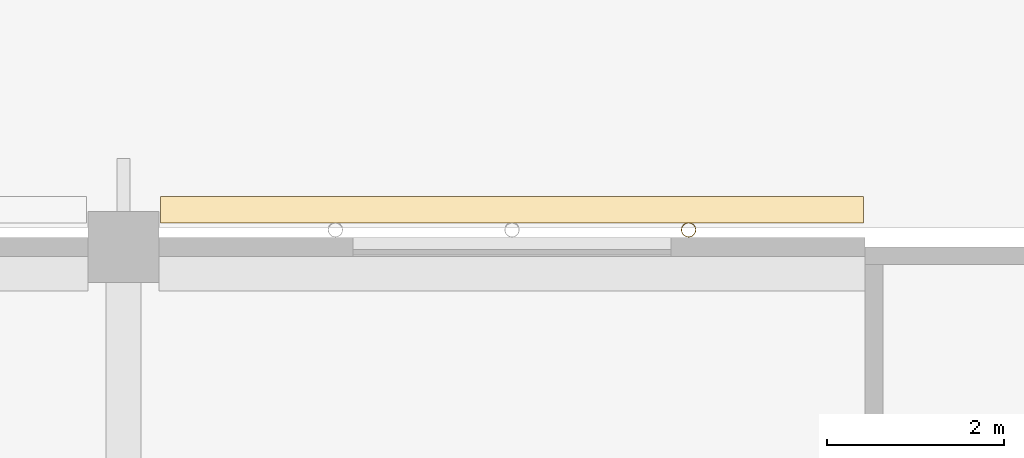
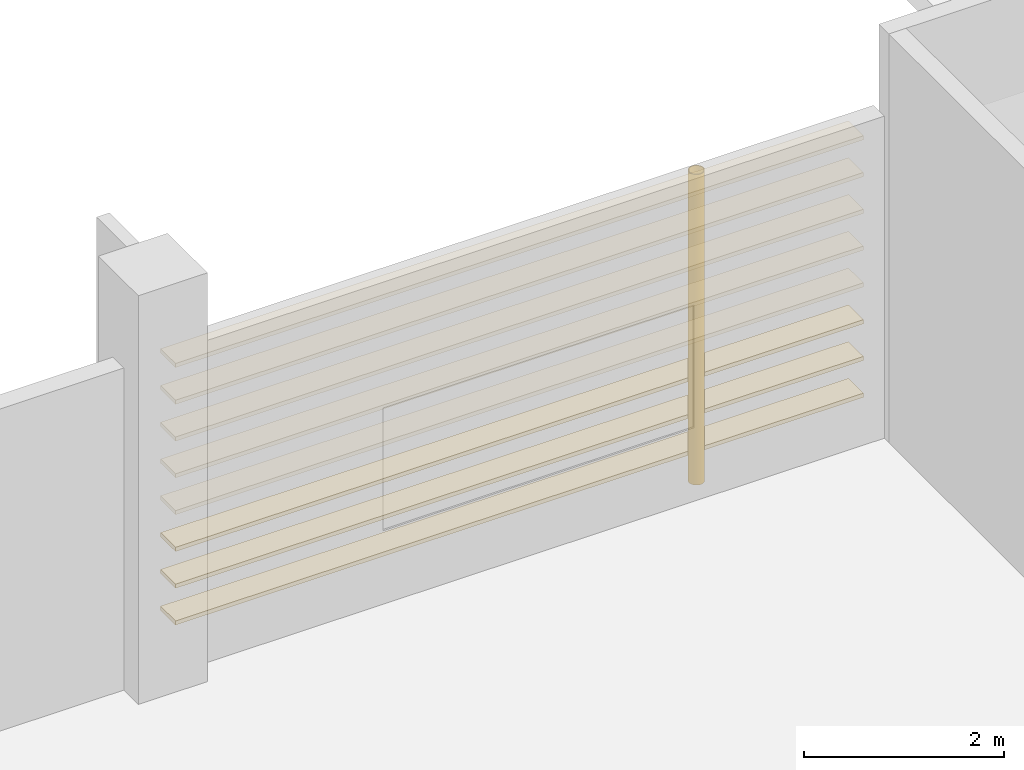
# One storey, part 75 of 101: 8 coverings, 1 shading device.
"""IFC4 building model written with IfcOpenShell, lengths in metres."""

from ifc_helpers import new_model, si_unit, direction, frame, origin, origin_2d, place, context, subcontext, project, spatial, rectangle, hollow_circle, extrude, material, material_profile, profile_set, type_object, element, save


model = new_model("IFC4")

# Units and contexts
model_context = context("Model", 3, precision=1e-05, world=origin(), true_north=direction((0.0, 1.0)))
body_context = subcontext(model_context, "Body", "Model", "MODEL_VIEW")
ifc_project = project(units=[si_unit("LENGTHUNIT", "METRE"), si_unit("AREAUNIT", "SQUARE_METRE"), si_unit("VOLUMEUNIT", "CUBIC_METRE"), si_unit("PLANEANGLEUNIT", "RADIAN"), si_unit("MASSUNIT", "GRAM", prefix="KILO")], contexts=[model_context])

# Site, building, storey
site_placement = place(None, origin())
site = spatial("IfcSite", under=ifc_project, at=site_placement, CompositionType="ELEMENT")
building_placement = place(site_placement, origin())
building = spatial("IfcBuilding", under=site, at=building_placement, Name="Almond Square Museum", CompositionType="ELEMENT")
storey_placement = place(building_placement, frame((0.0, 0.0, 5.5)))
storey = spatial("IfcBuildingStorey", under=building, at=storey_placement, Name="L01", CompositionType="ELEMENT", Elevation=5.5)

# Shading device
ifc_material_1 = material(Name="Structural steel S355", Category="steel")
ifc_material_profile_1 = material_profile(ifc_material_1, hollow_circle(Radius=0.084228515625, WallThickness=0.008056640625, at=origin_2d()))
ifc_profile_set_1 = profile_set([ifc_material_profile_1], Name="Structural steel S355")
shading_device_type = type_object("IfcShadingDeviceType", Name="Louvre post CHS 168.3 x 8", PredefinedType="USERDEFINED", material=ifc_profile_set_1)
shading_device_placement = place(storey_placement, frame((121.60009765625, 16.994140625, 0.0), z_axis=(0.0, 0.0, 1.0), x_axis=(1.0, 0.0, 0.0)))
element("IfcShadingDevice", 1, at=shading_device_placement, inside=storey, type_object=shading_device_type, Name="Louvre screen post", ObjectType="POST", PredefinedType="USERDEFINED", context=body_context, shape_type="SweptSolid", body=[
    extrude(hollow_circle(Radius=0.084228515625, WallThickness=0.008056640625, at=origin_2d()), origin(), (0.0, 0.0, 1.0), 3.800048828125),
])

# Coverings
ifc_material_2 = material(Name="Cedar timber louvre board", Category="wood")
ifc_material_profile_2 = material_profile(ifc_material_2, rectangle(XDim=0.300048828125, YDim=0.050048828125, at=origin_2d()))
ifc_profile_set_2 = profile_set([ifc_material_profile_2], Name="Cedar timber louvre board")
covering_type = type_object("IfcCoveringType", Name="Louvre screen board 300 x 50", PredefinedType="CLADDING", material=ifc_profile_set_2)
for number, where, z_axis, x_axis, name in (
    (2, (115.6201171875, 17.224365234375, 0.300048828125), (1.0, 0.0, 0.0), (0.0, 1.0, 0.0), "Louvre screen board"),
    (3, (115.6201171875, 17.224365234375, 0.75), (1.0, 0.0, 0.0), (0.0, 1.0, 0.0), "Louvre screen board"),
    (4, (115.6201171875, 17.224365234375, 1.199951171875), (1.0, 0.0, 0.0), (0.0, 1.0, 0.0), "Louvre screen board"),
    (5, (115.6201171875, 17.224365234375, 1.64990234375), (1.0, 0.0, 0.0), (0.0, 1.0, 0.0), "Louvre screen board"),
    (6, (115.6201171875, 17.224365234375, 2.10009765625), (1.0, 0.0, 0.0), (0.0, 1.0, 0.0), "Louvre screen board"),
    (7, (115.6201171875, 17.224365234375, 2.550048828125), (1.0, 0.0, 0.0), (0.0, 1.0, 0.0), "Louvre screen board"),
    (8, (115.6201171875, 17.224365234375, 3.0), (1.0, 0.0, 0.0), (0.0, 1.0, 0.0), "Louvre screen board"),
    (9, (115.6201171875, 17.224365234375, 3.449951171875), (1.0, 0.0, 0.0), (0.0, 1.0, 0.0), "Louvre screen board"),
):
    element("IfcCovering", number, at=place(storey_placement, frame(where, z_axis=z_axis, x_axis=x_axis)), inside=storey, type_object=covering_type, Name=name, PredefinedType="CLADDING", context=body_context, shape_type="SweptSolid", body=[
        extrude(rectangle(XDim=0.300048828125, YDim=0.050048828125, at=origin_2d()), origin(), (0.0, 0.0, 1.0), 7.9599609375),
    ])

save(model, "model.ifc")
